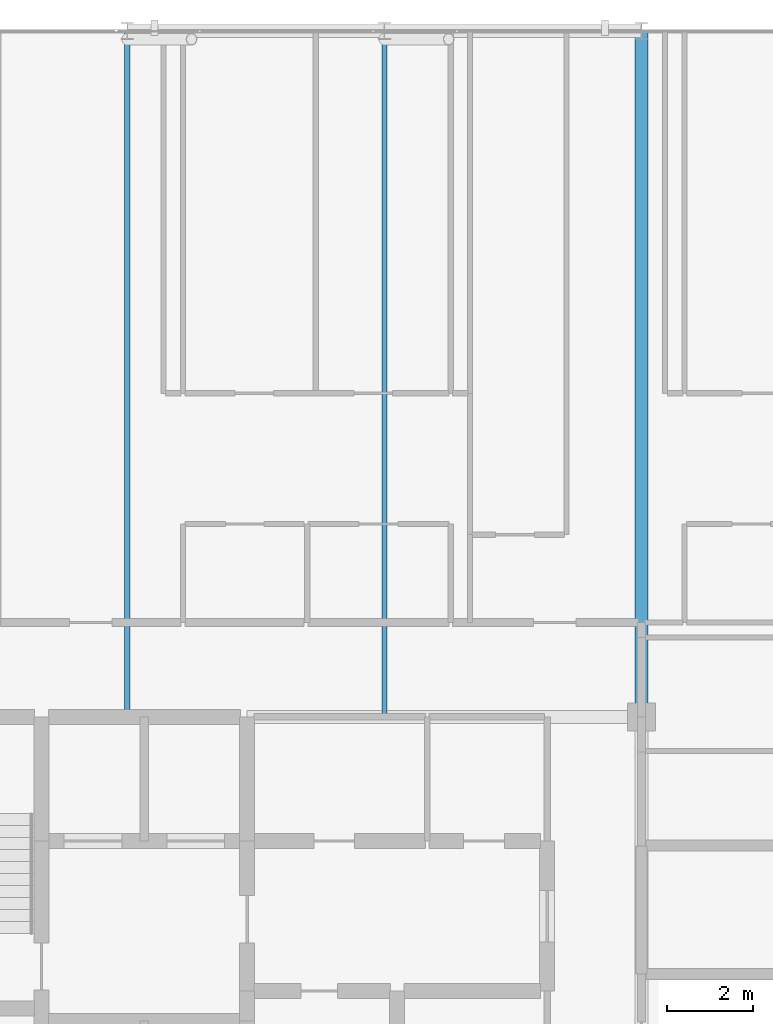
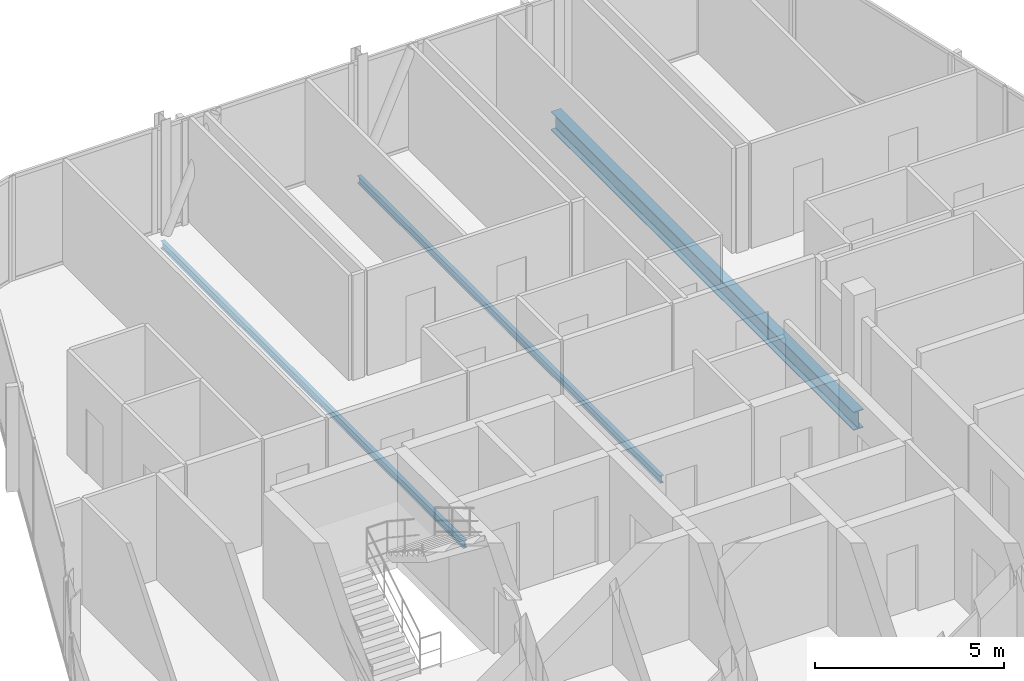
# One storey, part 16 of 28: 3 beams.
"""IFC4 building model written with IfcOpenShell, lengths in metres."""

from ifc_helpers import new_model, si_unit, direction, frame, origin, origin_2d, place, context, subcontext, project, spatial, i_section, extrude, material, material_profile, profile_set, type_object, element, save


model = new_model("IFC4")

# Units and contexts
model_context = context("Model", 3, precision=1e-05, world=origin(), true_north=direction((0.0, 1.0)))
body_context = subcontext(model_context, "Body", "Model", "MODEL_VIEW")
ifc_project = project(units=[si_unit("LENGTHUNIT", "METRE"), si_unit("AREAUNIT", "SQUARE_METRE"), si_unit("VOLUMEUNIT", "CUBIC_METRE"), si_unit("PLANEANGLEUNIT", "RADIAN"), si_unit("MASSUNIT", "GRAM", prefix="KILO")], contexts=[model_context])

# Site, building, storey
site_placement = place(None, origin())
site = spatial("IfcSite", under=ifc_project, at=site_placement, CompositionType="ELEMENT")
building_placement = place(site_placement, origin())
building = spatial("IfcBuilding", under=site, at=building_placement, Name="Keshet Zoharim Tower", CompositionType="ELEMENT")
storey_placement = place(building_placement, frame((0.0, 0.0, 303.60009765625)))
storey = spatial("IfcBuildingStorey", under=building, at=storey_placement, Name="L76", CompositionType="ELEMENT", Elevation=303.60009765625)

# Beams
ifc_material = material(Name="Steel S355", Category="steel")
ifc_material_profile_1 = material_profile(ifc_material, i_section(OverallWidth=0.1201171875, OverallDepth=0.239990234375, WebThickness=0.006103515625, FlangeThickness=0.009765625, FilletRadius=0.014892578125, at=origin_2d()), Name="IPE240")
ifc_profile_set_1 = profile_set([ifc_material_profile_1], Name="Steel S355")
beam_type_1 = type_object("IfcBeamType", Name="BM-JST-IP240", PredefinedType="JOIST", material=ifc_profile_set_1)
for number, where, z_axis, x_axis, name in (
    (1, (21.0, 37.89990234375, -0.43017578125), (0.0, 1.0, 0.0), (-1.0, 0.0, 0.0), "L76 Secondary Floor Joist J-001"),
    (2, (27.0, 37.89990234375, -0.43017578125), (0.0, 1.0, 0.0), (-1.0, 0.0, 0.0), "L76 Secondary Floor Joist J-002"),
):
    element("IfcBeam", number, at=place(storey_placement, frame(where, z_axis=z_axis, x_axis=x_axis)), inside=storey, type_object=beam_type_1, Name=name, PredefinedType="JOIST", context=body_context, shape_type="SweptSolid", body=[
        extrude(i_section(OverallWidth=0.1201171875, OverallDepth=0.239990234375, WebThickness=0.006103515625, FlangeThickness=0.009765625, FilletRadius=0.014892578125, at=origin_2d()), origin(), (0.0, 0.0, 1.0), 16.0),
    ])
ifc_material_profile_2 = material_profile(ifc_material, i_section(OverallWidth=0.300048828125, OverallDepth=0.60009765625, WebThickness=0.015380859375, FlangeThickness=0.030029296875, FilletRadius=0.027099609375, at=origin_2d()), Name="HEB600")
ifc_profile_set_2 = profile_set([ifc_material_profile_2], Name="Steel S355")
beam_type_2 = type_object("IfcBeamType", Name="BM-LNG-HB600", PredefinedType="BEAM", material=ifc_profile_set_2)
beam_placement = place(storey_placement, frame((33.0, 37.89990234375, -0.610107421875), z_axis=(0.0, 1.0, 0.0), x_axis=(-1.0, 0.0, 0.0)))
element("IfcBeam", 3, at=beam_placement, inside=storey, type_object=beam_type_2, Name="L76 Primary Girder Y-009", PredefinedType="BEAM", context=body_context, shape_type="SweptSolid", body=[
    extrude(i_section(OverallWidth=0.300048828125, OverallDepth=0.60009765625, WebThickness=0.015380859375, FlangeThickness=0.030029296875, FilletRadius=0.027099609375, at=origin_2d()), origin(), (0.0, 0.0, 1.0), 16.0),
])

save(model, "model.ifc")
